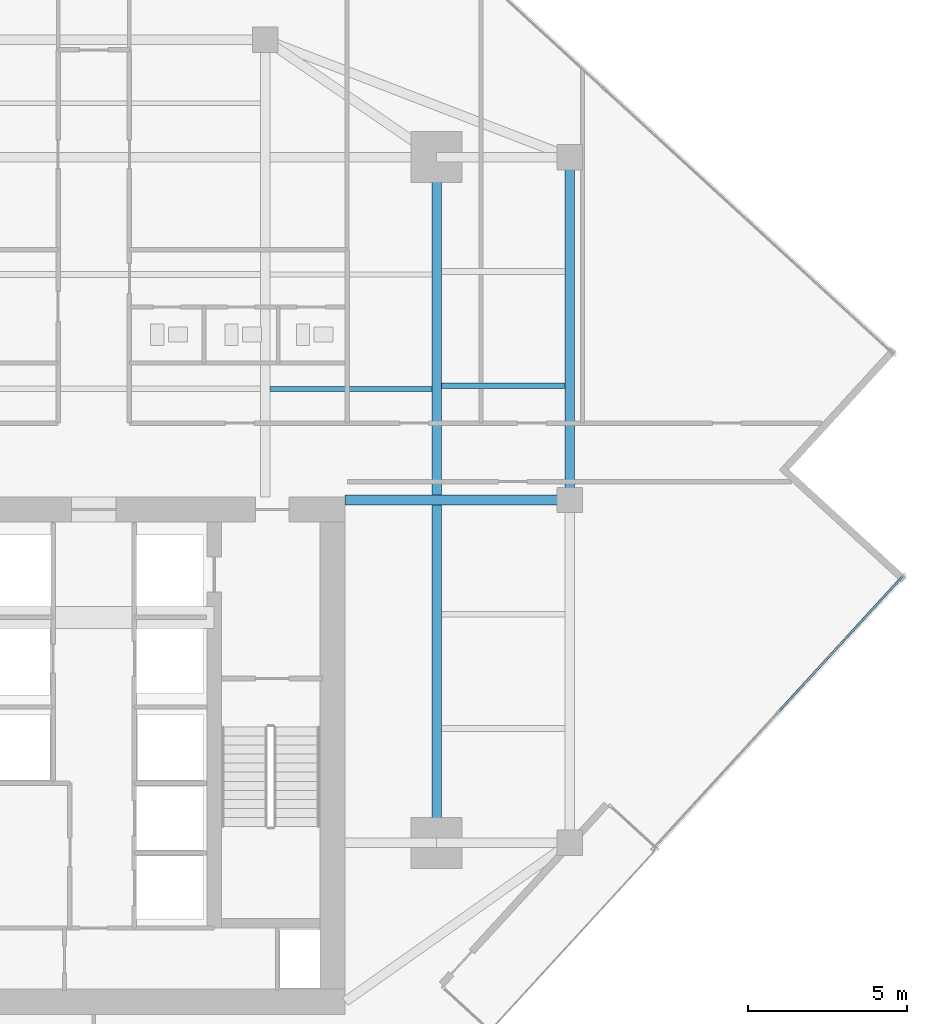
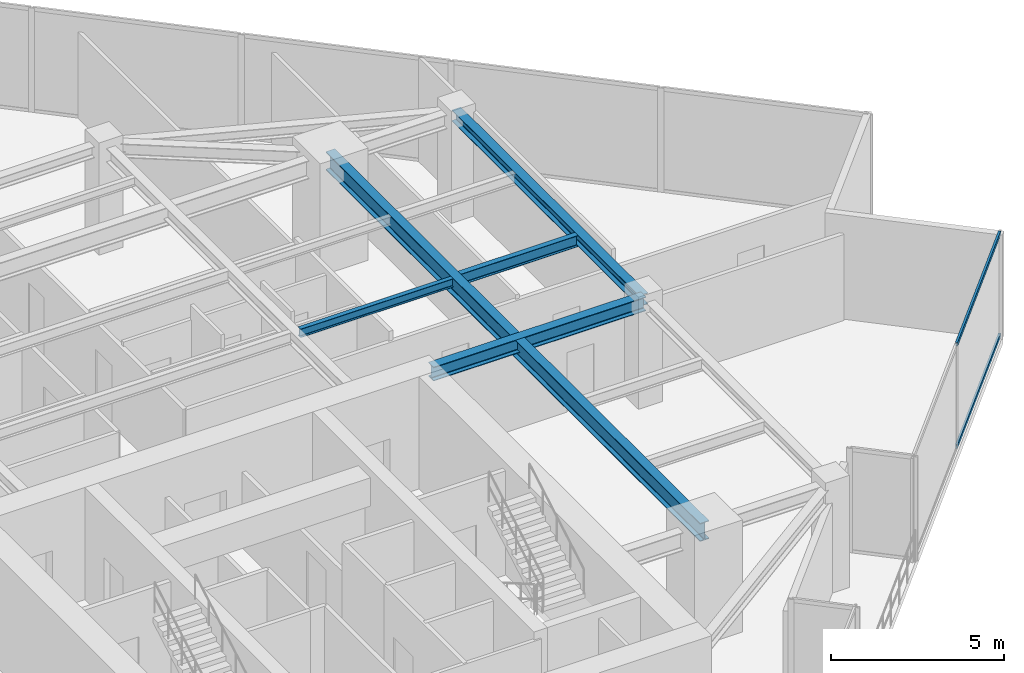
# One storey, part 12 of 26: 5 beams, 2 members, 1 element without a shape of its own.
"""IFC4 building model written with IfcOpenShell, lengths in metres."""

from ifc_helpers import new_model, si_unit, direction, frame, origin, origin_2d, place, context, subcontext, project, spatial, hollow_rectangle, i_section, extrude, source, transform, mapped, material, material_profile, profile_set, type_object, type_shapes, element, aggregate, save


model = new_model("IFC4")

# Units and contexts
model_context = context("Model", 3, precision=1e-05, world=origin(), true_north=direction((0.0, 1.0)))
body_context = subcontext(model_context, "Body", "Model", "MODEL_VIEW")
ifc_project = project(units=[si_unit("LENGTHUNIT", "METRE"), si_unit("AREAUNIT", "SQUARE_METRE"), si_unit("VOLUMEUNIT", "CUBIC_METRE"), si_unit("PLANEANGLEUNIT", "RADIAN"), si_unit("MASSUNIT", "GRAM", prefix="KILO")], contexts=[model_context])

# Site, building, storey
site_placement = place(None, origin())
site = spatial("IfcSite", under=ifc_project, at=site_placement, CompositionType="ELEMENT")
building_placement = place(site_placement, origin())
building = spatial("IfcBuilding", under=site, at=building_placement, Name="Krantzveldt Concourse Tower", CompositionType="ELEMENT")
storey_placement = place(building_placement, frame((0.0, 0.0, 227.050048828125)))
storey = spatial("IfcBuildingStorey", under=building, at=storey_placement, Name="L55", CompositionType="ELEMENT", Elevation=227.050048828125)

# Beams
ifc_material_1 = material(Name="Steel S355JR", Category="steel")
ifc_material_profile_1 = material_profile(ifc_material_1, i_section(OverallWidth=0.300048828125, OverallDepth=0.639892578125, WebThickness=0.013427734375, FlangeThickness=0.02587890625, FilletRadius=0.027099609375, at=origin_2d()), Name="Steel S355JR", Category="steel")
ifc_profile_set_1 = profile_set([ifc_material_profile_1], Name="Steel S355JR - HEA 650")
beam_type_1 = type_object("IfcBeamType", Name="BM-B-HEA650", PredefinedType="BEAM", material=ifc_profile_set_1)
shared_shape_1 = source(origin(), body_context, "Body", "SweptSolid", [
    extrude(i_section(OverallWidth=0.300048828125, OverallDepth=0.639892578125, WebThickness=0.013427734375, FlangeThickness=0.02587890625, FilletRadius=0.027099609375, at=origin_2d()), origin(), (0.0, 0.0, 1.0), 21.60009765625),
])
type_shapes(beam_type_1, [shared_shape_1])
beam_1_placement = place(storey_placement, frame((46.800048828125, 15.89990234375, 3.349853515625), z_axis=(0.0, 1.0, 0.0), x_axis=(-1.0, 0.0, 0.0)))
element("IfcBeam", 1, at=beam_1_placement, inside=storey, type_object=beam_type_1, Name="L55 Tower Girder BG-ME", PredefinedType="BEAM", context=body_context, shape_type="MappedRepresentation", body=[
    mapped(shared_shape_1, transform((0.0, 0.0, 0.0), x_axis=(1.0, 0.0, 0.0), y_axis=(0.0, 1.0, 0.0), z_axis=(0.0, 0.0, 1.0), scale=1.0)),
])
ifc_material_profile_2 = material_profile(ifc_material_1, i_section(OverallWidth=0.300048828125, OverallDepth=0.389892578125, WebThickness=0.010986328125, FlangeThickness=0.01904296875, FilletRadius=0.027099609375, at=origin_2d()), Name="Steel S355JR", Category="steel")
ifc_profile_set_2 = profile_set([ifc_material_profile_2], Name="Steel S355JR - HEA 400")
beam_type_2 = type_object("IfcBeamType", Name="BM-SP-HEA400", PredefinedType="SPANDREL", material=ifc_profile_set_2)
shared_shape_2 = source(origin(), body_context, "Body", "SweptSolid", [
    extrude(i_section(OverallWidth=0.300048828125, OverallDepth=0.389892578125, WebThickness=0.010986328125, FlangeThickness=0.01904296875, FilletRadius=0.027099609375, at=origin_2d()), origin(), (0.0, 0.0, 1.0), 10.800048828125),
])
type_shapes(beam_type_2, [shared_shape_2])
beam_2_placement = place(storey_placement, frame((51.0, 37.5, 3.474853515625), z_axis=(0.0, -1.0, 0.0), x_axis=(1.0, 0.0, 0.0)))
element("IfcBeam", 2, at=beam_2_placement, inside=storey, type_object=beam_type_2, Name="L55 Tower Girder SP-R06", PredefinedType="SPANDREL", context=body_context, shape_type="MappedRepresentation", body=[
    mapped(shared_shape_2, transform((0.0, 0.0, 0.0), x_axis=(1.0, 0.0, 0.0), y_axis=(0.0, 1.0, 0.0), z_axis=(0.0, 0.0, 1.0), scale=1.0)),
])
ifc_material_profile_3 = material_profile(ifc_material_1, i_section(OverallWidth=0.300048828125, OverallDepth=0.489990234375, WebThickness=0.011962890625, FlangeThickness=0.02294921875, FilletRadius=0.027099609375, at=origin_2d()), Name="Steel S355JR", Category="steel")
ifc_profile_set_3 = profile_set([ifc_material_profile_3], Name="Steel S355JR - HEA 500")
beam_type_3 = type_object("IfcBeamType", Name="BM-B-HEA500", PredefinedType="BEAM", material=ifc_profile_set_3)
shared_shape_3 = source(origin(), body_context, "Body", "SweptSolid", [
    extrude(i_section(OverallWidth=0.300048828125, OverallDepth=0.489990234375, WebThickness=0.011962890625, FlangeThickness=0.02294921875, FilletRadius=0.027099609375, at=origin_2d()), origin(), (0.0, 0.0, 1.0), 7.080078125),
])
type_shapes(beam_type_3, [shared_shape_3])
beam_3_placement = place(storey_placement, frame((43.919921875, 26.699951171875, 3.425048828125), z_axis=(1.0, 0.0, 0.0), x_axis=(0.0, 1.0, 0.0)))
element("IfcBeam", 3, at=beam_3_placement, inside=storey, type_object=beam_type_3, Name="L55 Tower Girder BG-CE2", PredefinedType="BEAM", context=body_context, shape_type="MappedRepresentation", body=[
    mapped(shared_shape_3, transform((0.0, 0.0, 0.0), x_axis=(1.0, 0.0, 0.0), y_axis=(0.0, 1.0, 0.0), z_axis=(0.0, 0.0, 1.0), scale=1.0)),
])
ifc_material_profile_4 = material_profile(ifc_material_1, i_section(OverallWidth=0.14990234375, OverallDepth=0.300048828125, WebThickness=0.007080078125, FlangeThickness=0.0107421875, FilletRadius=0.014892578125, at=origin_2d()), Name="Steel S355JR", Category="steel")
ifc_profile_set_4 = profile_set([ifc_material_profile_4], Name="Steel S355JR - IPE 300")
beam_type_4 = type_object("IfcBeamType", Name="BM-J-IPE300", PredefinedType="JOIST", material=ifc_profile_set_4)
shared_shape_4 = source(origin(), body_context, "Body", "SweptSolid", [
    extrude(i_section(OverallWidth=0.14990234375, OverallDepth=0.300048828125, WebThickness=0.007080078125, FlangeThickness=0.0107421875, FilletRadius=0.014892578125, at=origin_2d()), origin(), (0.0, 0.0, 1.0), 5.099853515625),
])
type_shapes(beam_type_4, [shared_shape_4])
beam_4_placement = place(storey_placement, frame((41.550048828125, 30.199951171875, 3.52001953125), z_axis=(1.0, 0.0, 0.0), x_axis=(0.0, 1.0, 0.0)))
element("IfcBeam", 4, at=beam_4_placement, inside=storey, type_object=beam_type_4, Name="L55 Secondary Floor Joist JN-E1", PredefinedType="JOIST", context=body_context, shape_type="MappedRepresentation", body=[
    mapped(shared_shape_4, transform((0.0, 0.0, 0.0), x_axis=(1.0, 0.0, 0.0), y_axis=(0.0, 1.0, 0.0), z_axis=(0.0, 0.0, 1.0), scale=1.0)),
])
ifc_material_profile_5 = material_profile(ifc_material_1, i_section(OverallWidth=0.179931640625, OverallDepth=0.39990234375, WebThickness=0.008544921875, FlangeThickness=0.013427734375, FilletRadius=0.02099609375, at=origin_2d()), Name="Steel S355JR", Category="steel")
ifc_profile_set_5 = profile_set([ifc_material_profile_5], Name="Steel S355JR - IPE 400")
beam_type_5 = type_object("IfcBeamType", Name="BM-J-IPE400", PredefinedType="JOIST", material=ifc_profile_set_5)
shared_shape_5 = source(origin(), body_context, "Body", "SweptSolid", [
    extrude(i_section(OverallWidth=0.179931640625, OverallDepth=0.39990234375, WebThickness=0.008544921875, FlangeThickness=0.013427734375, FilletRadius=0.02099609375, at=origin_2d()), origin(), (0.0, 0.0, 1.0), 3.900146484375),
])
type_shapes(beam_type_5, [shared_shape_5])
beam_5_placement = place(storey_placement, frame((46.949951171875, 30.300048828125, 3.469970703125), z_axis=(1.0, 0.0, 0.0), x_axis=(0.0, 1.0, 0.0)))
element("IfcBeam", 5, at=beam_5_placement, inside=storey, type_object=beam_type_5, Name="L55 Secondary Floor Joist JE-3", PredefinedType="JOIST", context=body_context, shape_type="MappedRepresentation", body=[
    mapped(shared_shape_5, transform((0.0, 0.0, 0.0), x_axis=(1.0, 0.0, 0.0), y_axis=(0.0, 1.0, 0.0), z_axis=(0.0, 0.0, 1.0), scale=1.0)),
])

# Curtain wall, members
ifc_material_2 = material(Name="Anodised aluminium 6063-T6", Category="aluminium")
curtain_wall_type = type_object("IfcCurtainWallType", Name="CW3", PredefinedType="USERDEFINED", material=ifc_material_2)
curtain_wall_placement = place(storey_placement, origin())
curtain_wall = element("IfcCurtainWall", 6, at=curtain_wall_placement, inside=storey, type_object=curtain_wall_type, Name="CW-L55-F11", ObjectType="UNITISED CURTAIN WALL", PredefinedType="USERDEFINED")
ifc_material_profile_6 = material_profile(ifc_material_2, hollow_rectangle(XDim=0.070068359375, YDim=0.139892578125, WallThickness=0.0048828125, at=origin_2d()), Name="Anodised aluminium 6063-T6", Category="aluminium")
ifc_profile_set_6 = profile_set([ifc_material_profile_6], Name="Anodised aluminium 6063-T6 - ALU-TRAN 140x70x5")
member_type = type_object("IfcMemberType", Name="CW-TRN-150", PredefinedType="USERDEFINED", material=ifc_profile_set_6)
shared_shape_6 = source(origin(), body_context, "Body", "SweptSolid", [
    extrude(hollow_rectangle(XDim=0.070068359375, YDim=0.139892578125, WallThickness=0.0048828125, at=origin_2d()), origin(), (0.0, 0.0, 1.0), 5.7451171875),
])
type_shapes(member_type, [shared_shape_6])
member_1_placement = place(storey_placement, frame((57.5908203125, 20.0517578125, 0.034912109375), z_axis=(0.675603385152, 0.737265261606, 0.0), x_axis=(-0.737265261606, 0.675603385152, 0.0)))
member_1 = element("IfcMember", 7, at=member_1_placement, type_object=member_type, Name="CW-Z34 transom 2.1", ObjectType="TRANSOM", PredefinedType="USERDEFINED", context=body_context, shape_type="MappedRepresentation", body=[
    mapped(shared_shape_6, transform((0.0, 0.0, 0.0), x_axis=(1.0, 0.0, 0.0), y_axis=(0.0, 1.0, 0.0), z_axis=(0.0, 0.0, 1.0), scale=1.0)),
])
member_2_placement = place(storey_placement, frame((57.5908203125, 20.0517578125, 3.635009765625), z_axis=(0.675603385152, 0.737265261606, 0.0), x_axis=(-0.737265261606, 0.675603385152, 0.0)))
member_2 = element("IfcMember", 8, at=member_2_placement, type_object=member_type, Name="CW-Z34 transom 2.2", ObjectType="TRANSOM", PredefinedType="USERDEFINED", context=body_context, shape_type="MappedRepresentation", body=[
    mapped(shared_shape_6, transform((0.0, 0.0, 0.0), x_axis=(1.0, 0.0, 0.0), y_axis=(0.0, 1.0, 0.0), z_axis=(0.0, 0.0, 1.0), scale=1.0)),
])
aggregate(curtain_wall, [member_1, member_2])

save(model, "model.ifc")
